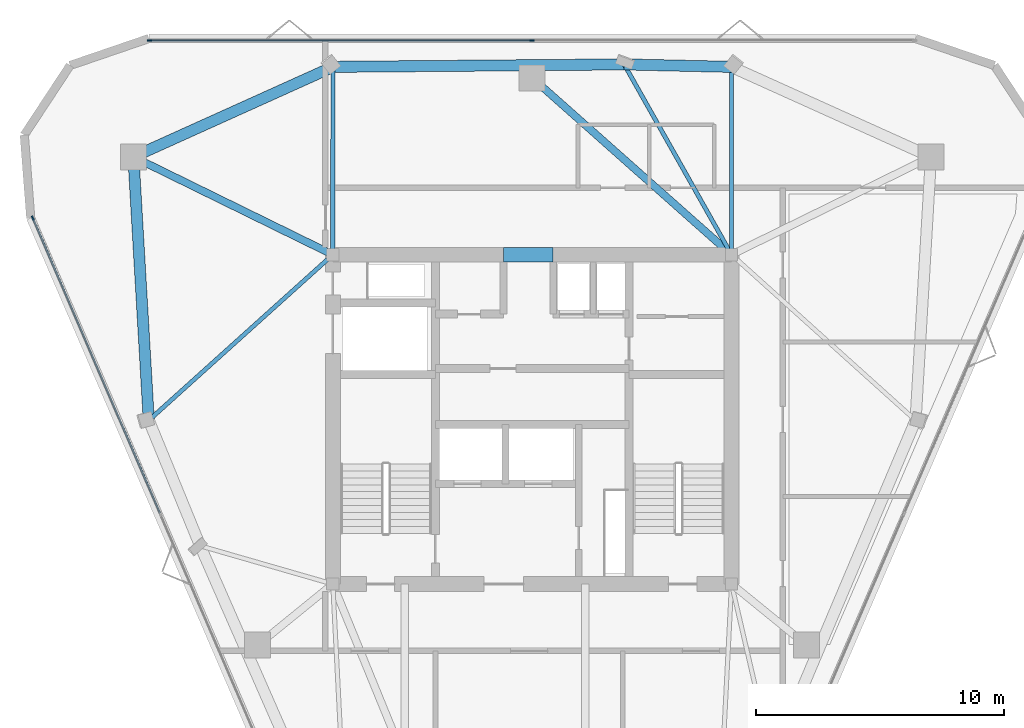
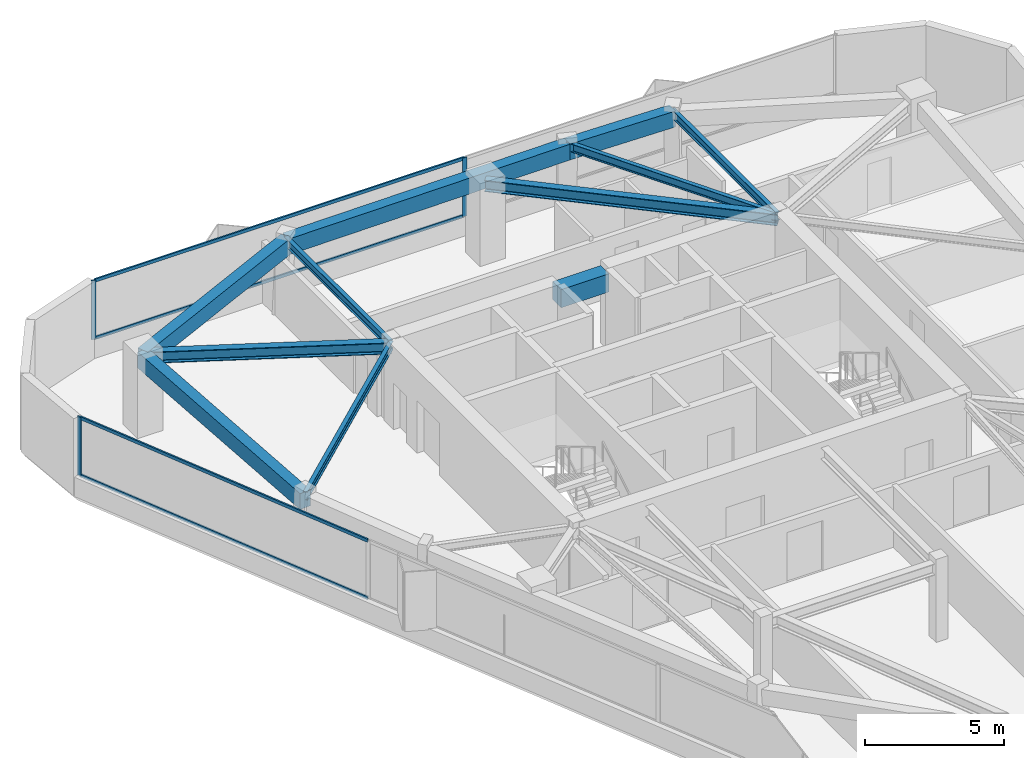
# One storey, part 4 of 9: 11 beams, 7 members, 2 elements without a shape of their own.
"""IFC4 building model written with IfcOpenShell, lengths in metres."""

from ifc_helpers import new_model, si_unit, direction, frame, origin, origin_2d, place, context, subcontext, project, spatial, rectangle, i_section, extrude, material, layer, layer_set, material_profile, profile_set, type_object, element, aggregate, save


model = new_model("IFC4")

# Units and contexts
model_context = context("Model", 3, precision=1e-05, world=origin(), true_north=direction((0.0, 1.0)))
body_context = subcontext(model_context, "Body", "Model", "MODEL_VIEW")
ifc_project = project(units=[si_unit("LENGTHUNIT", "METRE"), si_unit("AREAUNIT", "SQUARE_METRE"), si_unit("VOLUMEUNIT", "CUBIC_METRE"), si_unit("PLANEANGLEUNIT", "RADIAN"), si_unit("MASSUNIT", "GRAM", prefix="KILO")], contexts=[model_context])

# Site, building, storey
site_placement = place(None, origin())
site = spatial("IfcSite", under=ifc_project, at=site_placement, CompositionType="ELEMENT")
building_placement = place(site_placement, origin())
building = spatial("IfcBuilding", under=site, at=building_placement, Name="Talyreon Biosciences Tower", CompositionType="ELEMENT")
storey_placement = place(building_placement, frame((0.0, 0.0, 302.050048828125)))
storey = spatial("IfcBuildingStorey", under=building, at=storey_placement, Name="L80", CompositionType="ELEMENT", Elevation=302.050048828125)

# Curtain wall, member
ifc_material_1 = material(Name="Thermally broken aluminium and low-E glazing", Category="aluminium")
ifc_layer = layer(ifc_material_1, 0.175048828125)
ifc_layer_set = layer_set([ifc_layer], Name="Thermally broken aluminium and low-E glazing")
curtain_wall_type = type_object("IfcCurtainWallType", Name="CurtainWall_Zone5CompLab", PredefinedType="NOTDEFINED", material=ifc_layer_set)
curtain_wall_1_placement = place(storey_placement, origin())
curtain_wall_1 = element("IfcCurtainWall", 1, at=curtain_wall_1_placement, inside=storey, type_object=curtain_wall_type, Name="L80 Unitised Curtain Wall FCW-L80-00", PredefinedType="NOTDEFINED")
ifc_material_2 = material(Name="Anodised thermally broken aluminium", Category="aluminium")
ifc_material_profile_1 = material_profile(ifc_material_2, rectangle(XDim=0.06494140625, YDim=0.179931640625, at=origin_2d()), Name="ALUM MULLION 65x180")
ifc_profile_set_1 = profile_set([ifc_material_profile_1], Name="Anodised thermally broken aluminium")
member_type_1 = type_object("IfcMemberType", Name="CWMullion_65x180", PredefinedType="MULLION", material=ifc_profile_set_1)
member_1_placement = place(storey_placement, frame((45.833984375, 76.12744140625, 0.81005859375), z_axis=(0.0, 0.0, 1.0), x_axis=(-0.918363311246, -0.395738333444, 0.0)))
member_1 = element("IfcMember", 2, at=member_1_placement, type_object=member_type_1, Name="CW6 mullion 4", PredefinedType="MULLION", context=body_context, shape_type="SweptSolid", body=[
    extrude(rectangle(XDim=0.06494140625, YDim=0.179931640625, at=origin_2d()), origin(), (0.0, 0.0, 1.0), 2.58984375),
])

# Curtain wall, members
curtain_wall_2_placement = place(storey_placement, origin())
curtain_wall_2 = element("IfcCurtainWall", 3, at=curtain_wall_2_placement, inside=storey, type_object=curtain_wall_type, Name="L80 Unitised Curtain Wall FCW-L80-04", PredefinedType="NOTDEFINED")
member_2_placement = place(storey_placement, frame((50.5556640625, 83.303466796875, 0.81005859375), z_axis=(0.0, 0.0, 1.0), x_axis=(0.0, 1.0, 0.0)))
member_2 = element("IfcMember", 4, at=member_2_placement, type_object=member_type_1, Name="CW6 mullion 1", PredefinedType="MULLION", context=body_context, shape_type="SweptSolid", body=[
    extrude(rectangle(XDim=0.06494140625, YDim=0.179931640625, at=origin_2d()), origin(), (0.0, 0.0, 1.0), 2.58984375),
])
member_3_placement = place(storey_placement, frame((66.0, 83.303466796875, 0.81005859375), z_axis=(0.0, 0.0, 1.0), x_axis=(0.0, 1.0, 0.0)))
member_3 = element("IfcMember", 5, at=member_3_placement, type_object=member_type_1, Name="CW6 mullion 2", PredefinedType="MULLION", context=body_context, shape_type="SweptSolid", body=[
    extrude(rectangle(XDim=0.06494140625, YDim=0.179931640625, at=origin_2d()), origin(), (0.0, 0.0, 1.0), 2.58984375),
])

# Member
ifc_material_profile_2 = material_profile(ifc_material_2, rectangle(XDim=0.06494140625, YDim=0.139892578125, at=origin_2d()), Name="ALUM TRANSOM 65x140")
ifc_profile_set_2 = profile_set([ifc_material_profile_2], Name="Anodised thermally broken aluminium")
member_type_2 = type_object("IfcMemberType", Name="CWTransom_65x140", PredefinedType="USERDEFINED", material=ifc_profile_set_2)
member_4_placement = place(storey_placement, frame((50.96728515625, 64.215087890625, 0.842529296875), z_axis=(-0.395735791356, 0.918364406671, 0.0), x_axis=(-0.918364406671, -0.395735791356, 0.0)))
member_4 = element("IfcMember", 6, at=member_4_placement, type_object=member_type_2, Name="CW6 transom 3.1", ObjectType="TRANSOM", PredefinedType="USERDEFINED", context=body_context, shape_type="SweptSolid", body=[
    extrude(rectangle(XDim=0.06494140625, YDim=0.139892578125, at=origin_2d()), origin(), (0.0, 0.0, 1.0), 12.938720703125),
])

member_5_placement = place(storey_placement, frame((50.96728515625, 64.215087890625, 3.367431640625), z_axis=(-0.395735791356, 0.918364406671, 0.0), x_axis=(-0.918364406671, -0.395735791356, 0.0)))
member_5 = element("IfcMember", 7, at=member_5_placement, type_object=member_type_2, Name="CW6 transom 3.2", ObjectType="TRANSOM", PredefinedType="USERDEFINED", context=body_context, shape_type="SweptSolid", body=[
    extrude(rectangle(XDim=0.06494140625, YDim=0.139892578125, at=origin_2d()), origin(), (0.0, 0.0, 1.0), 12.938720703125),
])

aggregate(curtain_wall_1, [member_1, member_4, member_5])

member_6_placement = place(storey_placement, frame((50.588134765625, 83.303466796875, 0.842529296875), z_axis=(1.0, 0.0, 0.0), x_axis=(0.0, 1.0, 0.0)))
member_6 = element("IfcMember", 8, at=member_6_placement, type_object=member_type_2, Name="CW6 transom 1.1", ObjectType="TRANSOM", PredefinedType="USERDEFINED", context=body_context, shape_type="SweptSolid", body=[
    extrude(rectangle(XDim=0.06494140625, YDim=0.139892578125, at=origin_2d()), origin(), (0.0, 0.0, 1.0), 15.37939453125),
])

member_7_placement = place(storey_placement, frame((50.588134765625, 83.303466796875, 3.367431640625), z_axis=(1.0, 0.0, 0.0), x_axis=(0.0, 1.0, 0.0)))
member_7 = element("IfcMember", 9, at=member_7_placement, type_object=member_type_2, Name="CW6 transom 1.2", ObjectType="TRANSOM", PredefinedType="USERDEFINED", context=body_context, shape_type="SweptSolid", body=[
    extrude(rectangle(XDim=0.06494140625, YDim=0.139892578125, at=origin_2d()), origin(), (0.0, 0.0, 1.0), 15.37939453125),
])

aggregate(curtain_wall_2, [member_2, member_3, member_6, member_7])

# Beams
ifc_material_3 = material(Name="Concrete C50/60", Category="concrete")
ifc_material_profile_3 = material_profile(ifc_material_3, rectangle(XDim=0.60009765625, YDim=0.800048828125, at=origin_2d()), Name="RCB 600x800")
ifc_profile_set_3 = profile_set([ifc_material_profile_3], Name="Concrete C50/60")
beam_type_1 = type_object("IfcBeamType", Name="CoreCouplingLintel_600x800", PredefinedType="LINTEL", material=ifc_profile_set_3)
beam_1_placement = place(storey_placement, frame((64.85009765625, 74.64990234375, 3.0), z_axis=(1.0, 0.0, 0.0), x_axis=(0.0, 1.0, 0.0)))
element("IfcBeam", 10, at=beam_1_placement, inside=storey, type_object=beam_type_1, Name="L80 Core Coupling Lintel", PredefinedType="LINTEL", context=body_context, shape_type="SweptSolid", body=[
    extrude(rectangle(XDim=0.60009765625, YDim=0.800048828125, at=origin_2d()), origin(), (0.0, 0.0, 1.0), 2.0),
])
ifc_material_4 = material(Name="Precast concrete C45/55", Category="concrete")
ifc_material_profile_4 = material_profile(ifc_material_4, rectangle(XDim=0.449951171875, YDim=0.699951171875, at=origin_2d()), Name="RCB 450x700")
ifc_profile_set_4 = profile_set([ifc_material_profile_4], Name="Precast concrete C45/55")
beam_type_2 = type_object("IfcBeamType", Name="ExpressedSpandrel_450x700", PredefinedType="SPANDREL", material=ifc_profile_set_4)
beam_2_placement = place(storey_placement, frame((74.048095703125, 82.2333984375, 3.050048828125), z_axis=(-0.999733334238, 0.023092431946, 0.0), x_axis=(-0.023092431946, -0.999733334238, 0.0)))
element("IfcBeam", 11, at=beam_2_placement, inside=storey, type_object=beam_type_2, Name="L80 Expressed Horizontal Concrete Spandrel 06", PredefinedType="SPANDREL", context=body_context, shape_type="SweptSolid", body=[
    extrude(rectangle(XDim=0.449951171875, YDim=0.699951171875, at=origin_2d()), origin(), (0.0, 0.0, 1.0), 4.334716796875),
])
beam_3_placement = place(storey_placement, frame((69.714599609375, 82.33349609375, 3.050048828125), z_axis=(-0.999963794001, -0.008509446981, 0.0), x_axis=(0.008509446981, -0.999963794001, 0.0)))
element("IfcBeam", 12, at=beam_3_placement, inside=storey, type_object=beam_type_2, Name="L80 Expressed Horizontal Concrete Spandrel 07", PredefinedType="SPANDREL", context=body_context, shape_type="SweptSolid", body=[
    extrude(rectangle(XDim=0.449951171875, YDim=0.699951171875, at=origin_2d()), origin(), (0.0, 0.0, 1.0), 11.76318359375),
])
beam_4_placement = place(storey_placement, frame((57.951904296875, 82.2333984375, 3.050048828125), z_axis=(-0.91148156022, -0.411340935695, 0.0), x_axis=(0.411340935695, -0.91148156022, 0.0)))
element("IfcBeam", 13, at=beam_4_placement, inside=storey, type_object=beam_type_2, Name="L80 Expressed Horizontal Concrete Spandrel 08", PredefinedType="SPANDREL", context=body_context, shape_type="SweptSolid", body=[
    extrude(rectangle(XDim=0.449951171875, YDim=0.699951171875, at=origin_2d()), origin(), (0.0, 0.0, 1.0), 8.83642578125),
])
beam_5_placement = place(storey_placement, frame((49.897705078125, 78.5986328125, 3.050048828125), z_axis=(0.058239856277, -0.998302619019, 0.0), x_axis=(0.998302619019, 0.058239856277, 0.0)))
element("IfcBeam", 14, at=beam_5_placement, inside=storey, type_object=beam_type_2, Name="L80 Expressed Horizontal Concrete Spandrel 09", PredefinedType="SPANDREL", context=body_context, shape_type="SweptSolid", body=[
    extrude(rectangle(XDim=0.449951171875, YDim=0.699951171875, at=origin_2d()), origin(), (0.0, 0.0, 1.0), 10.656005859375),
])
ifc_material_5 = material(Name="Steel SM355", Category="steel")
ifc_material_profile_5 = material_profile(ifc_material_5, i_section(OverallWidth=0.300048828125, OverallDepth=0.5, WebThickness=0.014404296875, FlangeThickness=0.028076171875, FilletRadius=0.027099609375, at=origin_2d()), Name="HE500B")
ifc_profile_set_5 = profile_set([ifc_material_profile_5], Name="Steel SM355")
beam_type_3 = type_object("IfcBeamType", Name="SteelBeam_HE500B", PredefinedType="BEAM", material=ifc_profile_set_5)
beam_6_placement = place(storey_placement, frame((74.050048828125, 74.64990234375, 3.14990234375), z_axis=(-0.748178733955, 0.663497235908, 0.0), x_axis=(-0.663497235908, -0.748178733955, 0.0)))
element("IfcBeam", 15, at=beam_6_placement, inside=storey, type_object=beam_type_3, Name="L80 Radial Primary Girder 4", PredefinedType="BEAM", context=body_context, shape_type="SweptSolid", body=[
    extrude(i_section(OverallWidth=0.300048828125, OverallDepth=0.5, WebThickness=0.014404296875, FlangeThickness=0.028076171875, FilletRadius=0.027099609375, at=origin_2d()), origin(), (0.0, 0.0, 1.0), 10.759521484375),
])
beam_7_placement = place(storey_placement, frame((57.949951171875, 74.64990234375, 3.14990234375), z_axis=(-0.897852360314, 0.440296648952, 0.0), x_axis=(-0.440296648952, -0.897852360314, 0.0)))
element("IfcBeam", 16, at=beam_7_placement, inside=storey, type_object=beam_type_3, Name="L80 Radial Primary Girder 5", PredefinedType="BEAM", context=body_context, shape_type="SweptSolid", body=[
    extrude(i_section(OverallWidth=0.300048828125, OverallDepth=0.5, WebThickness=0.014404296875, FlangeThickness=0.028076171875, FilletRadius=0.027099609375, at=origin_2d()), origin(), (0.0, 0.0, 1.0), 8.96826171875),
])
ifc_material_profile_6 = material_profile(ifc_material_5, i_section(OverallWidth=0.169921875, OverallDepth=0.360107421875, WebThickness=0.008056640625, FlangeThickness=0.0126953125, FilletRadius=0.01806640625, at=origin_2d()), Name="IPE360")
ifc_profile_set_6 = profile_set([ifc_material_profile_6], Name="Steel SM355")
beam_type_4 = type_object("IfcBeamType", Name="SteelJoist_IPE360", PredefinedType="JOIST", material=ifc_profile_set_6)
beam_8_placement = place(storey_placement, frame((74.050048828125, 74.64990234375, 3.219970703125), z_axis=(-0.000257549409, 0.999999966834, 0.0), x_axis=(-0.999999966834, -0.000257549409, 0.0)))
element("IfcBeam", 17, at=beam_8_placement, inside=storey, type_object=beam_type_4, Name="L80 Radial Composite Floor Joist PC-N1", PredefinedType="JOIST", context=body_context, shape_type="SweptSolid", body=[
    extrude(i_section(OverallWidth=0.169921875, OverallDepth=0.360107421875, WebThickness=0.008056640625, FlangeThickness=0.0126953125, FilletRadius=0.01806640625, at=origin_2d()), origin(), (0.0, 0.0, 1.0), 7.58349609375),
])
beam_9_placement = place(storey_placement, frame((74.050048828125, 74.64990234375, 3.219970703125), z_axis=(-0.491416997382, 0.870924413875, 0.0), x_axis=(-0.870924413875, -0.491416997382, 0.0)))
element("IfcBeam", 18, at=beam_9_placement, inside=storey, type_object=beam_type_4, Name="L80 Radial Composite Floor Joist PL-N", PredefinedType="JOIST", context=body_context, shape_type="SweptSolid", body=[
    extrude(i_section(OverallWidth=0.169921875, OverallDepth=0.360107421875, WebThickness=0.008056640625, FlangeThickness=0.0126953125, FilletRadius=0.01806640625, at=origin_2d()), origin(), (0.0, 0.0, 1.0), 8.822265625),
])
beam_10_placement = place(storey_placement, frame((57.949951171875, 74.64990234375, 3.219970703125), z_axis=(0.000257549409, 0.999999966834, 0.0), x_axis=(-0.999999966834, 0.000257549409, 0.0)))
element("IfcBeam", 19, at=beam_10_placement, inside=storey, type_object=beam_type_4, Name="L80 Radial Composite Floor Joist PC-N2", PredefinedType="JOIST", context=body_context, shape_type="SweptSolid", body=[
    extrude(i_section(OverallWidth=0.169921875, OverallDepth=0.360107421875, WebThickness=0.008056640625, FlangeThickness=0.0126953125, FilletRadius=0.01806640625, at=origin_2d()), origin(), (0.0, 0.0, 1.0), 7.58349609375),
])
beam_11_placement = place(storey_placement, frame((57.949951171875, 74.64990234375, 3.219970703125), z_axis=(-0.743257721788, -0.669005201028, 0.0), x_axis=(0.669005201028, -0.743257721788, 0.0)))
element("IfcBeam", 20, at=beam_11_placement, inside=storey, type_object=beam_type_4, Name="L80 Radial Composite Floor Joist PC-SW1", PredefinedType="JOIST", context=body_context, shape_type="SweptSolid", body=[
    extrude(i_section(OverallWidth=0.169921875, OverallDepth=0.360107421875, WebThickness=0.008056640625, FlangeThickness=0.0126953125, FilletRadius=0.01806640625, at=origin_2d()), origin(), (0.0, 0.0, 1.0), 9.998779296875),
])

save(model, "model.ifc")
